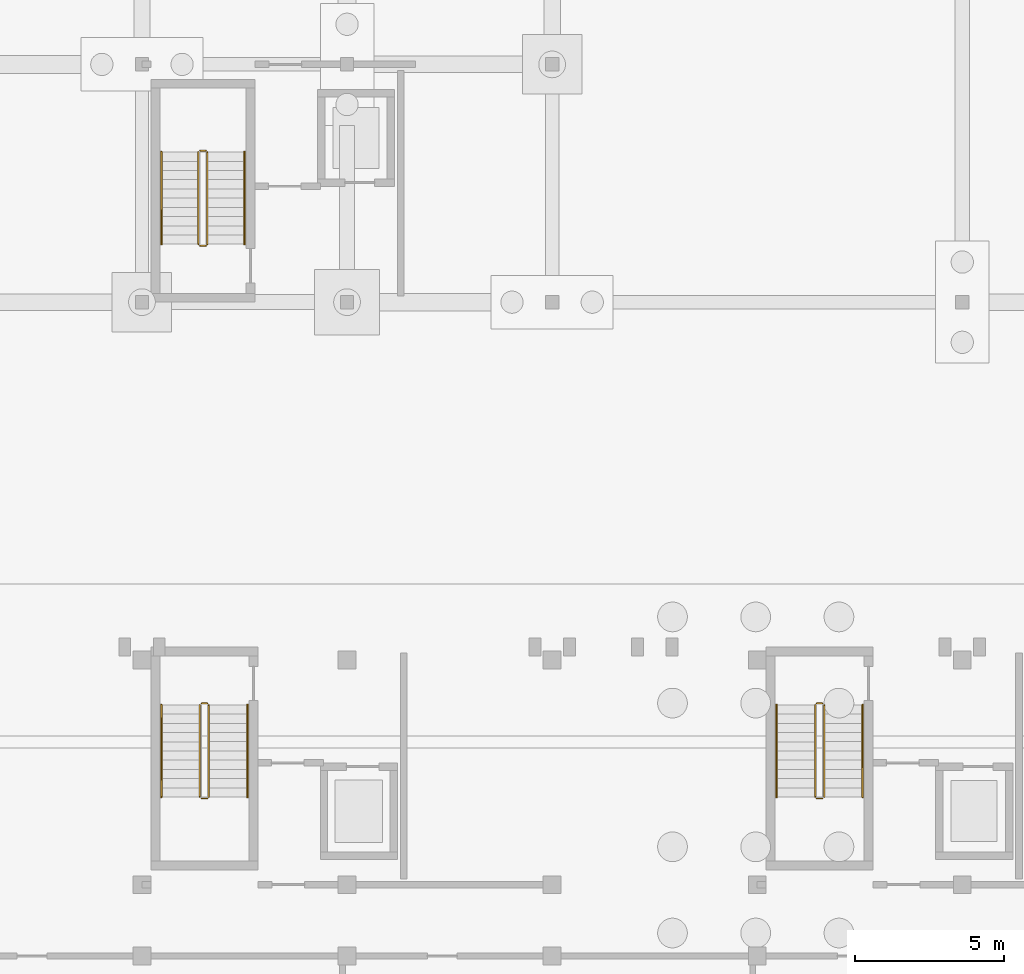
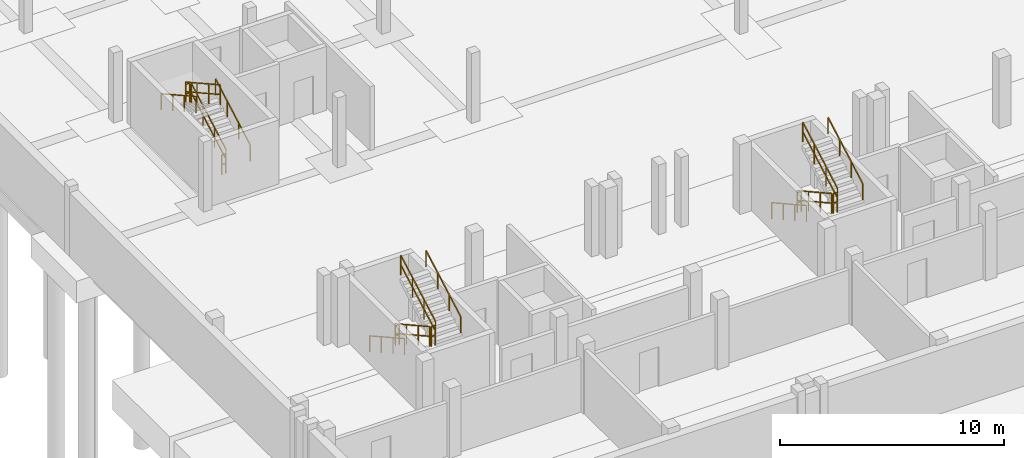
# One storey, part 32 of 38: 18 railings.
"""IFC4 building model written with IfcOpenShell, lengths in metres."""

from ifc_helpers import new_model, si_unit, direction, frame, origin, origin_2d, place, context, subcontext, project, spatial, rectangle, extrude, material, type_object, element, save


model = new_model("IFC4")

# Units and contexts
model_context = context("Model", 3, precision=1e-05, world=origin(), true_north=direction((0.0, 1.0)))
body_context = subcontext(model_context, "Body", "Model", "MODEL_VIEW")
ifc_project = project(units=[si_unit("LENGTHUNIT", "METRE"), si_unit("AREAUNIT", "SQUARE_METRE"), si_unit("VOLUMEUNIT", "CUBIC_METRE"), si_unit("PLANEANGLEUNIT", "RADIAN"), si_unit("MASSUNIT", "GRAM", prefix="KILO")], contexts=[model_context])

# Site, building, storey
site_placement = place(None, origin())
site = spatial("IfcSite", under=ifc_project, at=site_placement, CompositionType="ELEMENT")
building_placement = place(site_placement, origin())
building = spatial("IfcBuilding", under=site, at=building_placement, Name="Zavelmont Quarter", CompositionType="ELEMENT")
storey_placement = place(building_placement, frame((0.0, 0.0, -3.800048828125)))
storey = spatial("IfcBuildingStorey", under=building, at=storey_placement, Name="B01", CompositionType="ELEMENT", Elevation=-3.800048828125)

# Railings
ifc_material_1 = material(Name="Powder-coated steel stair guardrail", Category="steel")
railing_type_1 = type_object("IfcRailingType", Name="RL-GRD1", PredefinedType="GUARDRAIL", material=ifc_material_1)
railing_1_placement = place(storey_placement, frame((8.85009765625, 16.449951171875, 0.1728515625)))
element("IfcRailing", 1, at=railing_1_placement, inside=storey, type_object=railing_type_1, Name="B01 ST01 stair guardrail 1", PredefinedType="GUARDRAIL", context=body_context, shape_type="SweptSolid", body=[
    extrude(rectangle(XDim=0.048095703125, YDim=0.048095703125, at=origin_2d()), frame((0.0, 0.0, 1.076171875), z_axis=(0.0, -0.873539977393, 0.486752409235), x_axis=(1.0, 0.0, 0.0)), (0.0, 0.0, 1.0), 3.548583984375),
    extrude(rectangle(XDim=0.048095703125, YDim=0.048095703125, at=origin_2d()), frame((0.0, 0.0, 0.550048828125), z_axis=(0.0, -0.873539977393, 0.486752409235), x_axis=(1.0, 0.0, 0.0)), (0.0, 0.0, 1.0), 3.548583984375),
    extrude(rectangle(XDim=0.0419921875, YDim=0.0419921875, at=origin_2d()), origin(), (0.0, 0.0, 1.0), 1.052001953125),
    extrude(rectangle(XDim=0.0419921875, YDim=0.0419921875, at=origin_2d()), frame((0.0, -1.033203125, 0.57568359375)), (0.0, 0.0, 1.0), 1.052001953125),
    extrude(rectangle(XDim=0.0419921875, YDim=0.0419921875, at=origin_2d()), frame((0.0, -2.066650390625, 1.151611328125)), (0.0, 0.0, 1.0), 1.052001953125),
    extrude(rectangle(XDim=0.0419921875, YDim=0.0419921875, at=origin_2d()), frame((0.0, -3.099853515625, 1.727294921875)), (0.0, 0.0, 1.0), 1.052001953125),
])
railing_2_placement = place(storey_placement, frame((8.89990234375, 13.300048828125, 1.900146484375)))
element("IfcRailing", 2, at=railing_2_placement, inside=storey, type_object=railing_type_1, Name="B01 ST01 stair guardrail 2", PredefinedType="GUARDRAIL", context=body_context, shape_type="SweptSolid", body=[
    extrude(rectangle(XDim=0.048095703125, YDim=0.048095703125, at=origin_2d()), frame((0.0, 0.0, 1.076171875), z_axis=(1.0, 0.0, 0.0), x_axis=(0.0, 1.0, 0.0)), (0.0, 0.0, 1.0), 0.2001953125),
    extrude(rectangle(XDim=0.048095703125, YDim=0.048095703125, at=origin_2d()), frame((0.0, 0.0, 0.550048828125), z_axis=(1.0, 0.0, 0.0), x_axis=(0.0, 1.0, 0.0)), (0.0, 0.0, 1.0), 0.2001953125),
    extrude(rectangle(XDim=0.0419921875, YDim=0.0419921875, at=origin_2d()), origin(), (0.0, 0.0, 1.0), 1.052001953125),
    extrude(rectangle(XDim=0.0419921875, YDim=0.0419921875, at=origin_2d()), frame((0.2001953125, 0.0, 0.0)), (0.0, 0.0, 1.0), 1.052001953125),
])
railing_3_placement = place(storey_placement, frame((9.14990234375, 13.35009765625, 2.07275390625)))
element("IfcRailing", 3, at=railing_3_placement, inside=storey, type_object=railing_type_1, Name="B01 ST01 stair guardrail 3", PredefinedType="GUARDRAIL", context=body_context, shape_type="SweptSolid", body=[
    extrude(rectangle(XDim=0.048095703125, YDim=0.048095703125, at=origin_2d()), frame((0.0, 0.0, 1.076171875), z_axis=(0.0, 0.873539977393, 0.486752409235), x_axis=(-1.0, 0.0, 0.0)), (0.0, 0.0, 1.0), 3.548583984375),
    extrude(rectangle(XDim=0.048095703125, YDim=0.048095703125, at=origin_2d()), frame((0.0, 0.0, 0.550048828125), z_axis=(0.0, 0.873539977393, 0.486752409235), x_axis=(-1.0, 0.0, 0.0)), (0.0, 0.0, 1.0), 3.548583984375),
    extrude(rectangle(XDim=0.0419921875, YDim=0.0419921875, at=origin_2d()), origin(), (0.0, 0.0, 1.0), 1.052001953125),
    extrude(rectangle(XDim=0.0419921875, YDim=0.0419921875, at=origin_2d()), frame((0.0, 1.033203125, 0.57568359375)), (0.0, 0.0, 1.0), 1.052001953125),
    extrude(rectangle(XDim=0.0419921875, YDim=0.0419921875, at=origin_2d()), frame((0.0, 2.066650390625, 1.151611328125)), (0.0, 0.0, 1.0), 1.052001953125),
    extrude(rectangle(XDim=0.0419921875, YDim=0.0419921875, at=origin_2d()), frame((0.0, 3.099853515625, 1.727294921875)), (0.0, 0.0, 1.0), 1.052001953125),
])
railing_4_placement = place(storey_placement, frame((8.89990234375, 16.5, 0.0)))
element("IfcRailing", 4, at=railing_4_placement, inside=storey, type_object=railing_type_1, Name="B01 ST01 stair guardrail 4", PredefinedType="GUARDRAIL", context=body_context, shape_type="SweptSolid", body=[
    extrude(rectangle(XDim=0.048095703125, YDim=0.048095703125, at=origin_2d()), frame((0.0, 0.0, 1.076171875), z_axis=(1.0, 0.0, 0.0), x_axis=(0.0, 1.0, 0.0)), (0.0, 0.0, 1.0), 0.2001953125),
    extrude(rectangle(XDim=0.048095703125, YDim=0.048095703125, at=origin_2d()), frame((0.0, 0.0, 0.550048828125), z_axis=(1.0, 0.0, 0.0), x_axis=(0.0, 1.0, 0.0)), (0.0, 0.0, 1.0), 0.2001953125),
    extrude(rectangle(XDim=0.0419921875, YDim=0.0419921875, at=origin_2d()), origin(), (0.0, 0.0, 1.0), 1.052001953125),
    extrude(rectangle(XDim=0.0419921875, YDim=0.0419921875, at=origin_2d()), frame((0.2001953125, 0.0, 0.0)), (0.0, 0.0, 1.0), 1.052001953125),
])
railing_5_placement = place(storey_placement, frame((29.550048828125, 16.449951171875, 0.1728515625)))
element("IfcRailing", 5, at=railing_5_placement, inside=storey, type_object=railing_type_1, Name="B01 ST02 stair guardrail 1", PredefinedType="GUARDRAIL", context=body_context, shape_type="SweptSolid", body=[
    extrude(rectangle(XDim=0.048095703125, YDim=0.048095703125, at=origin_2d()), frame((0.0, 0.0, 1.076171875), z_axis=(0.0, -0.873539977393, 0.486752409235), x_axis=(1.0, 0.0, 0.0)), (0.0, 0.0, 1.0), 3.548583984375),
    extrude(rectangle(XDim=0.048095703125, YDim=0.048095703125, at=origin_2d()), frame((0.0, 0.0, 0.550048828125), z_axis=(0.0, -0.873539977393, 0.486752409235), x_axis=(1.0, 0.0, 0.0)), (0.0, 0.0, 1.0), 3.548583984375),
    extrude(rectangle(XDim=0.0419921875, YDim=0.0419921875, at=origin_2d()), origin(), (0.0, 0.0, 1.0), 1.052001953125),
    extrude(rectangle(XDim=0.0419921875, YDim=0.0419921875, at=origin_2d()), frame((0.0, -1.033203125, 0.57568359375)), (0.0, 0.0, 1.0), 1.052001953125),
    extrude(rectangle(XDim=0.0419921875, YDim=0.0419921875, at=origin_2d()), frame((0.0, -2.066650390625, 1.151611328125)), (0.0, 0.0, 1.0), 1.052001953125),
    extrude(rectangle(XDim=0.0419921875, YDim=0.0419921875, at=origin_2d()), frame((0.0, -3.099853515625, 1.727294921875)), (0.0, 0.0, 1.0), 1.052001953125),
])
railing_6_placement = place(storey_placement, frame((29.60009765625, 13.300048828125, 1.900146484375)))
element("IfcRailing", 6, at=railing_6_placement, inside=storey, type_object=railing_type_1, Name="B01 ST02 stair guardrail 2", PredefinedType="GUARDRAIL", context=body_context, shape_type="SweptSolid", body=[
    extrude(rectangle(XDim=0.048095703125, YDim=0.048095703125, at=origin_2d()), frame((0.0, 0.0, 1.076171875), z_axis=(1.0, 0.0, 0.0), x_axis=(0.0, 1.0, 0.0)), (0.0, 0.0, 1.0), 0.199951171875),
    extrude(rectangle(XDim=0.048095703125, YDim=0.048095703125, at=origin_2d()), frame((0.0, 0.0, 0.550048828125), z_axis=(1.0, 0.0, 0.0), x_axis=(0.0, 1.0, 0.0)), (0.0, 0.0, 1.0), 0.199951171875),
    extrude(rectangle(XDim=0.0419921875, YDim=0.0419921875, at=origin_2d()), origin(), (0.0, 0.0, 1.0), 1.052001953125),
    extrude(rectangle(XDim=0.0419921875, YDim=0.0419921875, at=origin_2d()), frame((0.199951171875, 0.0, 0.0)), (0.0, 0.0, 1.0), 1.052001953125),
])
railing_7_placement = place(storey_placement, frame((29.85009765625, 13.35009765625, 2.07275390625)))
element("IfcRailing", 7, at=railing_7_placement, inside=storey, type_object=railing_type_1, Name="B01 ST02 stair guardrail 3", PredefinedType="GUARDRAIL", context=body_context, shape_type="SweptSolid", body=[
    extrude(rectangle(XDim=0.048095703125, YDim=0.048095703125, at=origin_2d()), frame((0.0, 0.0, 1.076171875), z_axis=(0.0, 0.873539977393, 0.486752409235), x_axis=(-1.0, 0.0, 0.0)), (0.0, 0.0, 1.0), 3.548583984375),
    extrude(rectangle(XDim=0.048095703125, YDim=0.048095703125, at=origin_2d()), frame((0.0, 0.0, 0.550048828125), z_axis=(0.0, 0.873539977393, 0.486752409235), x_axis=(-1.0, 0.0, 0.0)), (0.0, 0.0, 1.0), 3.548583984375),
    extrude(rectangle(XDim=0.0419921875, YDim=0.0419921875, at=origin_2d()), origin(), (0.0, 0.0, 1.0), 1.052001953125),
    extrude(rectangle(XDim=0.0419921875, YDim=0.0419921875, at=origin_2d()), frame((0.0, 1.033203125, 0.57568359375)), (0.0, 0.0, 1.0), 1.052001953125),
    extrude(rectangle(XDim=0.0419921875, YDim=0.0419921875, at=origin_2d()), frame((0.0, 2.066650390625, 1.151611328125)), (0.0, 0.0, 1.0), 1.052001953125),
    extrude(rectangle(XDim=0.0419921875, YDim=0.0419921875, at=origin_2d()), frame((0.0, 3.099853515625, 1.727294921875)), (0.0, 0.0, 1.0), 1.052001953125),
])
railing_8_placement = place(storey_placement, frame((29.60009765625, 16.5, 0.0)))
element("IfcRailing", 8, at=railing_8_placement, inside=storey, type_object=railing_type_1, Name="B01 ST02 stair guardrail 4", PredefinedType="GUARDRAIL", context=body_context, shape_type="SweptSolid", body=[
    extrude(rectangle(XDim=0.048095703125, YDim=0.048095703125, at=origin_2d()), frame((0.0, 0.0, 1.076171875), z_axis=(1.0, 0.0, 0.0), x_axis=(0.0, 1.0, 0.0)), (0.0, 0.0, 1.0), 0.199951171875),
    extrude(rectangle(XDim=0.048095703125, YDim=0.048095703125, at=origin_2d()), frame((0.0, 0.0, 0.550048828125), z_axis=(1.0, 0.0, 0.0), x_axis=(0.0, 1.0, 0.0)), (0.0, 0.0, 1.0), 0.199951171875),
    extrude(rectangle(XDim=0.0419921875, YDim=0.0419921875, at=origin_2d()), origin(), (0.0, 0.0, 1.0), 1.052001953125),
    extrude(rectangle(XDim=0.0419921875, YDim=0.0419921875, at=origin_2d()), frame((0.199951171875, 0.0, 0.0)), (0.0, 0.0, 1.0), 1.052001953125),
])
railing_9_placement = place(storey_placement, frame((9.10009765625, 31.949951171875, 0.1728515625)))
element("IfcRailing", 9, at=railing_9_placement, inside=storey, type_object=railing_type_1, Name="B01 ST13 stair guardrail 1", PredefinedType="GUARDRAIL", context=body_context, shape_type="SweptSolid", body=[
    extrude(rectangle(XDim=0.048095703125, YDim=0.048095703125, at=origin_2d()), frame((0.0, 0.0, 1.076171875), z_axis=(0.0, 0.87355627631, 0.486723157575), x_axis=(-1.0, 0.0, 0.0)), (0.0, 0.0, 1.0), 3.548828125),
    extrude(rectangle(XDim=0.048095703125, YDim=0.048095703125, at=origin_2d()), frame((0.0, 0.0, 0.550048828125), z_axis=(0.0, 0.87355627631, 0.486723157575), x_axis=(-1.0, 0.0, 0.0)), (0.0, 0.0, 1.0), 3.548828125),
    extrude(rectangle(XDim=0.0419921875, YDim=0.0419921875, at=origin_2d()), origin(), (0.0, 0.0, 1.0), 1.052001953125),
    extrude(rectangle(XDim=0.0419921875, YDim=0.0419921875, at=origin_2d()), frame((0.0, 1.033447265625, 0.57568359375)), (0.0, 0.0, 1.0), 1.052001953125),
    extrude(rectangle(XDim=0.0419921875, YDim=0.0419921875, at=origin_2d()), frame((0.0, 2.066650390625, 1.151611328125)), (0.0, 0.0, 1.0), 1.052001953125),
    extrude(rectangle(XDim=0.0419921875, YDim=0.0419921875, at=origin_2d()), frame((0.0, 3.10009765625, 1.727294921875)), (0.0, 0.0, 1.0), 1.052001953125),
])
railing_10_placement = place(storey_placement, frame((9.050048828125, 35.10009765625, 1.900146484375)))
element("IfcRailing", 10, at=railing_10_placement, inside=storey, type_object=railing_type_1, Name="B01 ST13 stair guardrail 2", PredefinedType="GUARDRAIL", context=body_context, shape_type="SweptSolid", body=[
    extrude(rectangle(XDim=0.048095703125, YDim=0.048095703125, at=origin_2d()), frame((0.0, 0.0, 1.076171875), z_axis=(-1.0, 0.0, 0.0), x_axis=(0.0, -1.0, 0.0)), (0.0, 0.0, 1.0), 0.199951171875),
    extrude(rectangle(XDim=0.048095703125, YDim=0.048095703125, at=origin_2d()), frame((0.0, 0.0, 0.550048828125), z_axis=(-1.0, 0.0, 0.0), x_axis=(0.0, -1.0, 0.0)), (0.0, 0.0, 1.0), 0.199951171875),
    extrude(rectangle(XDim=0.0419921875, YDim=0.0419921875, at=origin_2d()), origin(), (0.0, 0.0, 1.0), 1.052001953125),
    extrude(rectangle(XDim=0.0419921875, YDim=0.0419921875, at=origin_2d()), frame((-0.199951171875, 0.0, 0.0)), (0.0, 0.0, 1.0), 1.052001953125),
])
railing_11_placement = place(storey_placement, frame((8.800048828125, 35.050048828125, 2.07275390625)))
element("IfcRailing", 11, at=railing_11_placement, inside=storey, type_object=railing_type_1, Name="B01 ST13 stair guardrail 3", PredefinedType="GUARDRAIL", context=body_context, shape_type="SweptSolid", body=[
    extrude(rectangle(XDim=0.048095703125, YDim=0.048095703125, at=origin_2d()), frame((0.0, 0.0, 1.076171875), z_axis=(0.0, -0.87355627631, 0.486723157575), x_axis=(1.0, 0.0, 0.0)), (0.0, 0.0, 1.0), 3.548828125),
    extrude(rectangle(XDim=0.048095703125, YDim=0.048095703125, at=origin_2d()), frame((0.0, 0.0, 0.550048828125), z_axis=(0.0, -0.87355627631, 0.486723157575), x_axis=(1.0, 0.0, 0.0)), (0.0, 0.0, 1.0), 3.548828125),
    extrude(rectangle(XDim=0.0419921875, YDim=0.0419921875, at=origin_2d()), origin(), (0.0, 0.0, 1.0), 1.052001953125),
    extrude(rectangle(XDim=0.0419921875, YDim=0.0419921875, at=origin_2d()), frame((0.0, -1.033447265625, 0.57568359375)), (0.0, 0.0, 1.0), 1.052001953125),
    extrude(rectangle(XDim=0.0419921875, YDim=0.0419921875, at=origin_2d()), frame((0.0, -2.066650390625, 1.151611328125)), (0.0, 0.0, 1.0), 1.052001953125),
    extrude(rectangle(XDim=0.0419921875, YDim=0.0419921875, at=origin_2d()), frame((0.0, -3.10009765625, 1.727294921875)), (0.0, 0.0, 1.0), 1.052001953125),
])
railing_12_placement = place(storey_placement, frame((9.050048828125, 31.89990234375, 0.0)))
element("IfcRailing", 12, at=railing_12_placement, inside=storey, type_object=railing_type_1, Name="B01 ST13 stair guardrail 4", PredefinedType="GUARDRAIL", context=body_context, shape_type="SweptSolid", body=[
    extrude(rectangle(XDim=0.048095703125, YDim=0.048095703125, at=origin_2d()), frame((0.0, 0.0, 1.076171875), z_axis=(-1.0, 0.0, 0.0), x_axis=(0.0, -1.0, 0.0)), (0.0, 0.0, 1.0), 0.199951171875),
    extrude(rectangle(XDim=0.048095703125, YDim=0.048095703125, at=origin_2d()), frame((0.0, 0.0, 0.550048828125), z_axis=(-1.0, 0.0, 0.0), x_axis=(0.0, -1.0, 0.0)), (0.0, 0.0, 1.0), 0.199951171875),
    extrude(rectangle(XDim=0.0419921875, YDim=0.0419921875, at=origin_2d()), origin(), (0.0, 0.0, 1.0), 1.052001953125),
    extrude(rectangle(XDim=0.0419921875, YDim=0.0419921875, at=origin_2d()), frame((-0.199951171875, 0.0, 0.0)), (0.0, 0.0, 1.0), 1.052001953125),
])
ifc_material_2 = material(Name="Brushed stainless-steel wall handrail", Category="steel")
railing_type_2 = type_object("IfcRailingType", Name="RL-HND1", PredefinedType="HANDRAIL", material=ifc_material_2)
railing_13_placement = place(storey_placement, frame((7.550048828125, 16.449951171875, 0.1728515625)))
element("IfcRailing", 13, at=railing_13_placement, inside=storey, type_object=railing_type_2, Name="B01 ST01 stair handrail 1", PredefinedType="HANDRAIL", context=body_context, shape_type="SweptSolid", body=[
    extrude(rectangle(XDim=0.048095703125, YDim=0.048095703125, at=origin_2d()), frame((0.0, 0.0, 0.8759765625), z_axis=(0.0, -0.873539977393, 0.486752409235), x_axis=(1.0, 0.0, 0.0)), (0.0, 0.0, 1.0), 3.548583984375),
    extrude(rectangle(XDim=0.0419921875, YDim=0.0419921875, at=origin_2d()), origin(), (0.0, 0.0, 1.0), 0.851806640625),
    extrude(rectangle(XDim=0.0419921875, YDim=0.0419921875, at=origin_2d()), frame((0.0, -1.033203125, 0.57568359375)), (0.0, 0.0, 1.0), 0.851806640625),
    extrude(rectangle(XDim=0.0419921875, YDim=0.0419921875, at=origin_2d()), frame((0.0, -2.066650390625, 1.151611328125)), (0.0, 0.0, 1.0), 0.851806640625),
    extrude(rectangle(XDim=0.0419921875, YDim=0.0419921875, at=origin_2d()), frame((0.0, -3.099853515625, 1.727294921875)), (0.0, 0.0, 1.0), 0.851806640625),
])
railing_14_placement = place(storey_placement, frame((10.449951171875, 13.35009765625, 2.07275390625)))
element("IfcRailing", 14, at=railing_14_placement, inside=storey, type_object=railing_type_2, Name="B01 ST01 stair handrail 2", PredefinedType="HANDRAIL", context=body_context, shape_type="SweptSolid", body=[
    extrude(rectangle(XDim=0.048095703125, YDim=0.048095703125, at=origin_2d()), frame((0.0, 0.0, 0.8759765625), z_axis=(0.0, 0.873539977393, 0.486752409235), x_axis=(-1.0, 0.0, 0.0)), (0.0, 0.0, 1.0), 3.548583984375),
    extrude(rectangle(XDim=0.0419921875, YDim=0.0419921875, at=origin_2d()), origin(), (0.0, 0.0, 1.0), 0.851806640625),
    extrude(rectangle(XDim=0.0419921875, YDim=0.0419921875, at=origin_2d()), frame((0.0, 1.033203125, 0.57568359375)), (0.0, 0.0, 1.0), 0.851806640625),
    extrude(rectangle(XDim=0.0419921875, YDim=0.0419921875, at=origin_2d()), frame((0.0, 2.066650390625, 1.151611328125)), (0.0, 0.0, 1.0), 0.851806640625),
    extrude(rectangle(XDim=0.0419921875, YDim=0.0419921875, at=origin_2d()), frame((0.0, 3.099853515625, 1.727294921875)), (0.0, 0.0, 1.0), 0.851806640625),
])
railing_15_placement = place(storey_placement, frame((28.25, 16.449951171875, 0.1728515625)))
element("IfcRailing", 15, at=railing_15_placement, inside=storey, type_object=railing_type_2, Name="B01 ST02 stair handrail 1", PredefinedType="HANDRAIL", context=body_context, shape_type="SweptSolid", body=[
    extrude(rectangle(XDim=0.048095703125, YDim=0.048095703125, at=origin_2d()), frame((0.0, 0.0, 0.8759765625), z_axis=(0.0, -0.873539977393, 0.486752409235), x_axis=(1.0, 0.0, 0.0)), (0.0, 0.0, 1.0), 3.548583984375),
    extrude(rectangle(XDim=0.0419921875, YDim=0.0419921875, at=origin_2d()), origin(), (0.0, 0.0, 1.0), 0.851806640625),
    extrude(rectangle(XDim=0.0419921875, YDim=0.0419921875, at=origin_2d()), frame((0.0, -1.033203125, 0.57568359375)), (0.0, 0.0, 1.0), 0.851806640625),
    extrude(rectangle(XDim=0.0419921875, YDim=0.0419921875, at=origin_2d()), frame((0.0, -2.066650390625, 1.151611328125)), (0.0, 0.0, 1.0), 0.851806640625),
    extrude(rectangle(XDim=0.0419921875, YDim=0.0419921875, at=origin_2d()), frame((0.0, -3.099853515625, 1.727294921875)), (0.0, 0.0, 1.0), 0.851806640625),
])
railing_16_placement = place(storey_placement, frame((31.14990234375, 13.35009765625, 2.07275390625)))
element("IfcRailing", 16, at=railing_16_placement, inside=storey, type_object=railing_type_2, Name="B01 ST02 stair handrail 2", PredefinedType="HANDRAIL", context=body_context, shape_type="SweptSolid", body=[
    extrude(rectangle(XDim=0.048095703125, YDim=0.048095703125, at=origin_2d()), frame((0.0, 0.0, 0.8759765625), z_axis=(0.0, 0.873539977393, 0.486752409235), x_axis=(-1.0, 0.0, 0.0)), (0.0, 0.0, 1.0), 3.548583984375),
    extrude(rectangle(XDim=0.0419921875, YDim=0.0419921875, at=origin_2d()), origin(), (0.0, 0.0, 1.0), 0.851806640625),
    extrude(rectangle(XDim=0.0419921875, YDim=0.0419921875, at=origin_2d()), frame((0.0, 1.033203125, 0.57568359375)), (0.0, 0.0, 1.0), 0.851806640625),
    extrude(rectangle(XDim=0.0419921875, YDim=0.0419921875, at=origin_2d()), frame((0.0, 2.066650390625, 1.151611328125)), (0.0, 0.0, 1.0), 0.851806640625),
    extrude(rectangle(XDim=0.0419921875, YDim=0.0419921875, at=origin_2d()), frame((0.0, 3.099853515625, 1.727294921875)), (0.0, 0.0, 1.0), 0.851806640625),
])
railing_17_placement = place(storey_placement, frame((10.35009765625, 31.949951171875, 0.1728515625)))
element("IfcRailing", 17, at=railing_17_placement, inside=storey, type_object=railing_type_2, Name="B01 ST13 stair handrail 1", PredefinedType="HANDRAIL", context=body_context, shape_type="SweptSolid", body=[
    extrude(rectangle(XDim=0.048095703125, YDim=0.048095703125, at=origin_2d()), frame((0.0, 0.0, 0.8759765625), z_axis=(0.0, 0.87355627631, 0.486723157575), x_axis=(-1.0, 0.0, 0.0)), (0.0, 0.0, 1.0), 3.548828125),
    extrude(rectangle(XDim=0.0419921875, YDim=0.0419921875, at=origin_2d()), origin(), (0.0, 0.0, 1.0), 0.851806640625),
    extrude(rectangle(XDim=0.0419921875, YDim=0.0419921875, at=origin_2d()), frame((0.0, 1.033447265625, 0.57568359375)), (0.0, 0.0, 1.0), 0.851806640625),
    extrude(rectangle(XDim=0.0419921875, YDim=0.0419921875, at=origin_2d()), frame((0.0, 2.066650390625, 1.151611328125)), (0.0, 0.0, 1.0), 0.851806640625),
    extrude(rectangle(XDim=0.0419921875, YDim=0.0419921875, at=origin_2d()), frame((0.0, 3.10009765625, 1.727294921875)), (0.0, 0.0, 1.0), 0.851806640625),
])
railing_18_placement = place(storey_placement, frame((7.550048828125, 35.050048828125, 2.07275390625)))
element("IfcRailing", 18, at=railing_18_placement, inside=storey, type_object=railing_type_2, Name="B01 ST13 stair handrail 2", PredefinedType="HANDRAIL", context=body_context, shape_type="SweptSolid", body=[
    extrude(rectangle(XDim=0.048095703125, YDim=0.048095703125, at=origin_2d()), frame((0.0, 0.0, 0.8759765625), z_axis=(0.0, -0.87355627631, 0.486723157575), x_axis=(1.0, 0.0, 0.0)), (0.0, 0.0, 1.0), 3.548828125),
    extrude(rectangle(XDim=0.0419921875, YDim=0.0419921875, at=origin_2d()), origin(), (0.0, 0.0, 1.0), 0.851806640625),
    extrude(rectangle(XDim=0.0419921875, YDim=0.0419921875, at=origin_2d()), frame((0.0, -1.033447265625, 0.57568359375)), (0.0, 0.0, 1.0), 0.851806640625),
    extrude(rectangle(XDim=0.0419921875, YDim=0.0419921875, at=origin_2d()), frame((0.0, -2.066650390625, 1.151611328125)), (0.0, 0.0, 1.0), 0.851806640625),
    extrude(rectangle(XDim=0.0419921875, YDim=0.0419921875, at=origin_2d()), frame((0.0, -3.10009765625, 1.727294921875)), (0.0, 0.0, 1.0), 0.851806640625),
])

save(model, "model.ifc")
